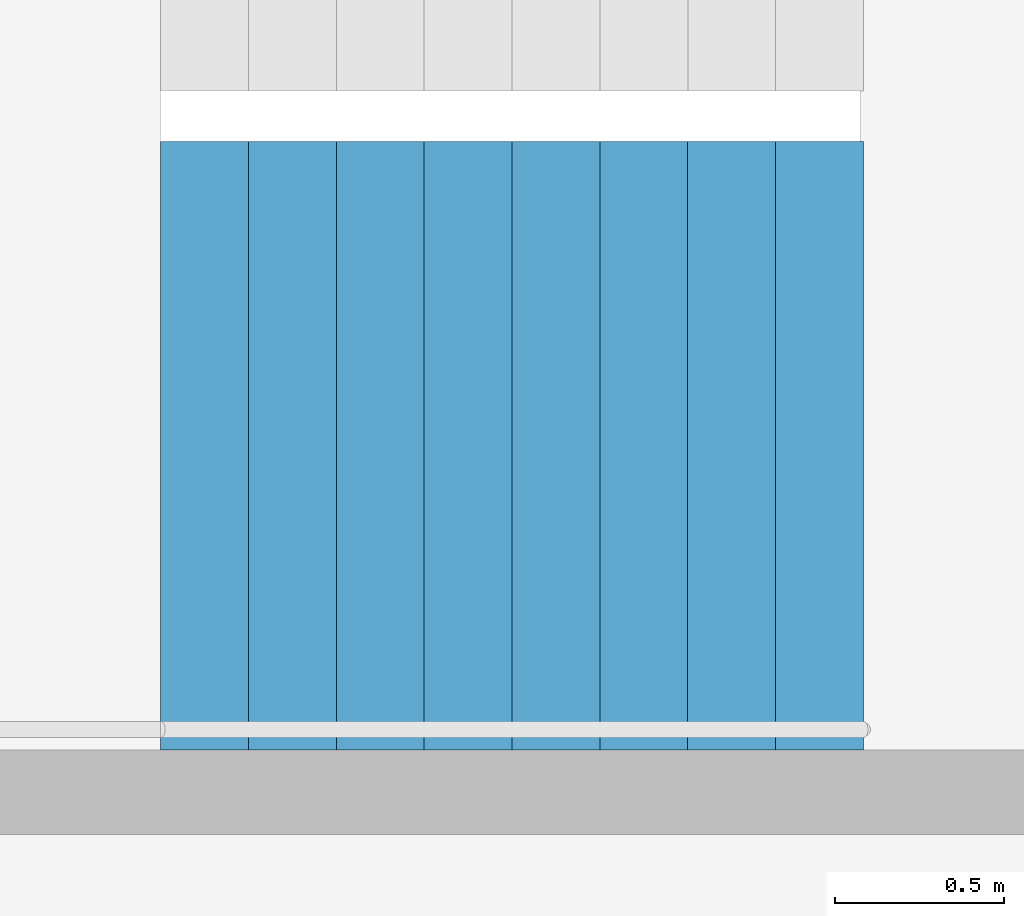
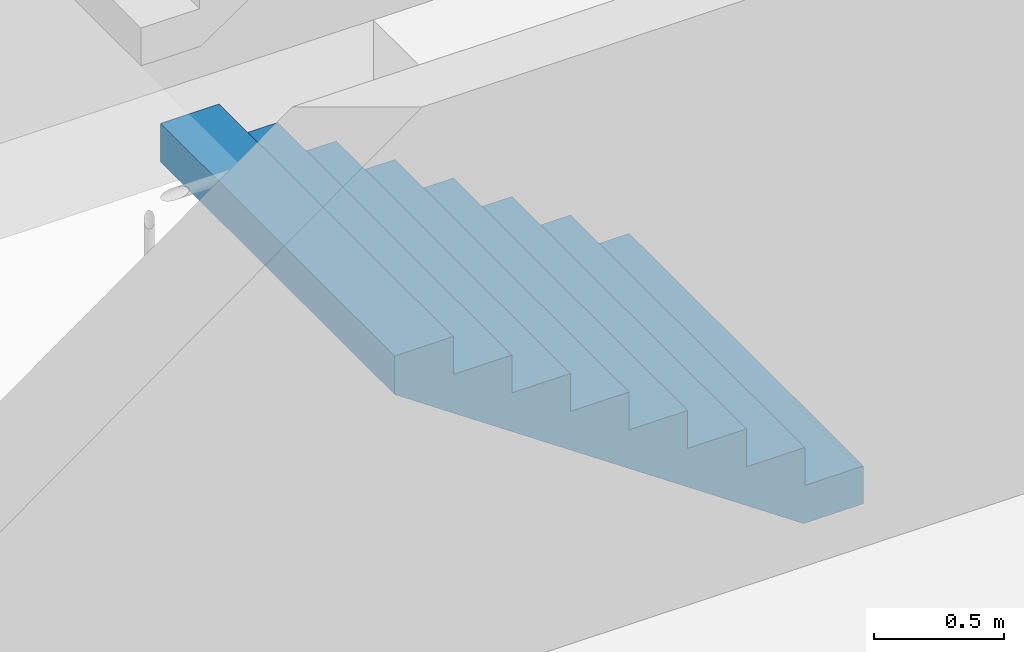
# One storey, part 22 of 29: 1 stair flight, 1 element without a shape of its own.
"""IFC4 building model written with IfcOpenShell, lengths in metres."""

from ifc_helpers import new_model, si_unit, direction, frame, origin, place, context, subcontext, project, spatial, triangles, material, type_object, element, aggregate, save


model = new_model("IFC4")

# Units and contexts
model_context = context("Model", 3, precision=1e-05, world=origin(), true_north=direction((0.0, 1.0)))
body_context = subcontext(model_context, "Body", "Model", "MODEL_VIEW")
ifc_project = project(units=[si_unit("LENGTHUNIT", "METRE"), si_unit("AREAUNIT", "SQUARE_METRE"), si_unit("VOLUMEUNIT", "CUBIC_METRE"), si_unit("PLANEANGLEUNIT", "RADIAN"), si_unit("MASSUNIT", "GRAM", prefix="KILO")], contexts=[model_context])

# Site, building, storey
site_placement = place(None, origin())
site = spatial("IfcSite", under=ifc_project, at=site_placement, CompositionType="ELEMENT")
building_placement = place(site_placement, origin())
building = spatial("IfcBuilding", under=site, at=building_placement, Name="Hakoniwa Tower and Hamabe Station Hall", CompositionType="ELEMENT")
storey_placement = place(building_placement, frame((0.0, 0.0, 163.0)))
storey = spatial("IfcBuildingStorey", under=building, at=storey_placement, Name="L46", CompositionType="ELEMENT", Elevation=163.0)

# Stair, stair flight
ifc_material_1 = material(Name="Concrete C40", Category="concrete")
stair_type = type_object("IfcStairType", Name="ESCAPE STAIR 1800", PredefinedType="HALF_TURN_STAIR", material=ifc_material_1)
stair_placement = place(storey_placement, origin())
stair = element("IfcStair", 1, at=stair_placement, inside=storey, type_object=stair_type, Name="Escape stair ST-3 L46", PredefinedType="HALF_TURN_STAIR")
ifc_material_2 = material(Name="Concrete C40", Category="concrete")
stair_flight_type = type_object("IfcStairFlightType", Name="STAIR FLIGHT 1800", PredefinedType="STRAIGHT", material=ifc_material_2)
stair_flight_placement = place(storey_placement, frame((24.39990234375, 4.64990234375, 0.0), z_axis=(0.0, 0.0, 1.0), x_axis=(-1.0, 0.0, 0.0)))
stair_flight = element("IfcStairFlight", 2, at=stair_flight_placement, type_object=stair_flight_type, Name="ST-3 flight 1", NumberOfRisers=9, NumberOfTreads=8, PredefinedType="STRAIGHT", RiserHeight=0.177777778, TreadLength=0.26, context=body_context, shape_type="Tessellation", body=[
    triangles([(0.0, 0.89990234375, 0.0), (0.260009765625, 0.89990234375, 0.0), (0.265625, 0.89990234375, 0.0), (0.52001953125, 0.89990234375, 0.174072265625), (0.780029296875, 0.89990234375, 0.351806640625), (1.0400390625, 0.89990234375, 0.529541015625), (1.300048828125, 0.89990234375, 0.707275390625), (1.56005859375, 0.89990234375, 0.885009765625), (1.820068359375, 0.89990234375, 1.062744140625), (2.080078125, 0.89990234375, 1.24072265625), (2.080078125, 0.89990234375, 1.422119140625), (1.820068359375, 0.89990234375, 1.422119140625), (1.820068359375, 0.89990234375, 1.244384765625), (1.56005859375, 0.89990234375, 1.244384765625), (1.56005859375, 0.89990234375, 1.066650390625), (1.300048828125, 0.89990234375, 1.066650390625), (1.300048828125, 0.89990234375, 0.888916015625), (1.0400390625, 0.89990234375, 0.888916015625), (1.0400390625, 0.89990234375, 0.711181640625), (0.780029296875, 0.89990234375, 0.711181640625), (0.780029296875, 0.89990234375, 0.533447265625), (0.52001953125, 0.89990234375, 0.533447265625), (0.52001953125, 0.89990234375, 0.35546875), (0.265625, 0.89990234375, 0.35546875), (0.260009765625, 0.89990234375, 0.35546875), (0.260009765625, 0.89990234375, 0.177734375), (0.0, 0.89990234375, 0.177734375), (0.0, 0.06005859375, 0.0), (0.260009765625, 0.06005859375, 0.0), (0.265625, 0.06005859375, 0.0), (0.52001953125, 0.06005859375, 0.174072265625), (0.780029296875, 0.06005859375, 0.351806640625), (1.0400390625, 0.06005859375, 0.529541015625), (1.300048828125, 0.06005859375, 0.707275390625), (1.56005859375, 0.06005859375, 0.885009765625), (1.820068359375, 0.06005859375, 1.062744140625), (2.080078125, 0.06005859375, 1.24072265625), (2.080078125, 0.06005859375, 1.422119140625), (1.820068359375, 0.06005859375, 1.422119140625), (1.820068359375, 0.06005859375, 1.244384765625), (1.56005859375, 0.06005859375, 1.244384765625), (1.56005859375, 0.06005859375, 1.066650390625), (1.300048828125, 0.06005859375, 1.066650390625), (1.300048828125, 0.06005859375, 0.888916015625), (1.0400390625, 0.06005859375, 0.888916015625), (1.0400390625, 0.06005859375, 0.711181640625), (0.780029296875, 0.06005859375, 0.711181640625), (0.780029296875, 0.06005859375, 0.533447265625), (0.52001953125, 0.06005859375, 0.533447265625), (0.52001953125, 0.06005859375, 0.35546875), (0.265625, 0.06005859375, 0.35546875), (0.260009765625, 0.06005859375, 0.35546875), (0.260009765625, 0.06005859375, 0.177734375), (0.0, 0.06005859375, 0.177734375), (0.0, 0.04296875, 0.0), (0.260009765625, 0.04296875, 0.0), (0.265625, 0.04296875, 0.0), (0.52001953125, 0.04296875, 0.174072265625), (0.780029296875, 0.04296875, 0.351806640625), (1.0400390625, 0.04296875, 0.529541015625), (1.300048828125, 0.04296875, 0.707275390625), (1.56005859375, 0.04296875, 0.885009765625), (1.820068359375, 0.04296875, 1.062744140625), (2.080078125, 0.04296875, 1.24072265625), (2.080078125, 0.04296875, 1.422119140625), (1.820068359375, 0.04296875, 1.422119140625), (1.820068359375, 0.04296875, 1.244384765625), (1.56005859375, 0.04296875, 1.244384765625), (1.56005859375, 0.04296875, 1.066650390625), (1.300048828125, 0.04296875, 1.066650390625), (1.300048828125, 0.04296875, 0.888916015625), (1.0400390625, 0.04296875, 0.888916015625), (1.0400390625, 0.04296875, 0.711181640625), (0.780029296875, 0.04296875, 0.711181640625), (0.780029296875, 0.04296875, 0.533447265625), (0.52001953125, 0.04296875, 0.533447265625), (0.52001953125, 0.04296875, 0.35546875), (0.265625, 0.04296875, 0.35546875), (0.260009765625, 0.04296875, 0.35546875), (0.260009765625, 0.04296875, 0.177734375), (0.0, 0.04296875, 0.177734375), (0.0, 0.025634765625, 0.0), (0.260009765625, 0.025634765625, 0.0), (0.265625, 0.025634765625, 0.0), (0.52001953125, 0.025634765625, 0.174072265625), (0.780029296875, 0.025634765625, 0.351806640625), (1.0400390625, 0.025634765625, 0.529541015625), (1.300048828125, 0.025634765625, 0.707275390625), (1.56005859375, 0.025634765625, 0.885009765625), (1.820068359375, 0.025634765625, 1.062744140625), (2.080078125, 0.025634765625, 1.24072265625), (2.080078125, 0.025634765625, 1.422119140625), (1.820068359375, 0.025634765625, 1.422119140625), (1.820068359375, 0.025634765625, 1.244384765625), (1.56005859375, 0.025634765625, 1.244384765625), (1.56005859375, 0.025634765625, 1.066650390625), (1.300048828125, 0.025634765625, 1.066650390625), (1.300048828125, 0.025634765625, 0.888916015625), (1.0400390625, 0.025634765625, 0.888916015625), (1.0400390625, 0.025634765625, 0.711181640625), (0.780029296875, 0.025634765625, 0.711181640625), (0.780029296875, 0.025634765625, 0.533447265625), (0.52001953125, 0.025634765625, 0.533447265625), (0.52001953125, 0.025634765625, 0.35546875), (0.265625, 0.025634765625, 0.35546875), (0.260009765625, 0.025634765625, 0.35546875), (0.260009765625, 0.025634765625, 0.177734375), (0.0, 0.025634765625, 0.177734375), (0.0, 0.008544921875, 0.0), (0.260009765625, 0.008544921875, 0.0), (0.265625, 0.008544921875, 0.0), (0.52001953125, 0.008544921875, 0.174072265625), (0.780029296875, 0.008544921875, 0.351806640625), (1.0400390625, 0.008544921875, 0.529541015625), (1.300048828125, 0.008544921875, 0.707275390625), (1.56005859375, 0.008544921875, 0.885009765625), (1.820068359375, 0.008544921875, 1.062744140625), (2.080078125, 0.008544921875, 1.24072265625), (2.080078125, 0.008544921875, 1.422119140625), (1.820068359375, 0.008544921875, 1.422119140625), (1.820068359375, 0.008544921875, 1.244384765625), (1.56005859375, 0.008544921875, 1.244384765625), (1.56005859375, 0.008544921875, 1.066650390625), (1.300048828125, 0.008544921875, 1.066650390625), (1.300048828125, 0.008544921875, 0.888916015625), (1.0400390625, 0.008544921875, 0.888916015625), (1.0400390625, 0.008544921875, 0.711181640625), (0.780029296875, 0.008544921875, 0.711181640625), (0.780029296875, 0.008544921875, 0.533447265625), (0.52001953125, 0.008544921875, 0.533447265625), (0.52001953125, 0.008544921875, 0.35546875), (0.265625, 0.008544921875, 0.35546875), (0.260009765625, 0.008544921875, 0.35546875), (0.260009765625, 0.008544921875, 0.177734375), (0.0, 0.008544921875, 0.177734375), (0.0, -0.008544921875, 0.0), (0.260009765625, -0.008544921875, 0.0), (0.265625, -0.008544921875, 0.0), (0.52001953125, -0.008544921875, 0.174072265625), (0.780029296875, -0.008544921875, 0.351806640625), (1.0400390625, -0.008544921875, 0.529541015625), (1.300048828125, -0.008544921875, 0.707275390625), (1.56005859375, -0.008544921875, 0.885009765625), (1.820068359375, -0.008544921875, 1.062744140625), (2.080078125, -0.008544921875, 1.24072265625), (2.080078125, -0.008544921875, 1.422119140625), (1.820068359375, -0.008544921875, 1.422119140625), (1.820068359375, -0.008544921875, 1.244384765625), (1.56005859375, -0.008544921875, 1.244384765625), (1.56005859375, -0.008544921875, 1.066650390625), (1.300048828125, -0.008544921875, 1.066650390625), (1.300048828125, -0.008544921875, 0.888916015625), (1.0400390625, -0.008544921875, 0.888916015625), (1.0400390625, -0.008544921875, 0.711181640625), (0.780029296875, -0.008544921875, 0.711181640625), (0.780029296875, -0.008544921875, 0.533447265625), (0.52001953125, -0.008544921875, 0.533447265625), (0.52001953125, -0.008544921875, 0.35546875), (0.265625, -0.008544921875, 0.35546875), (0.260009765625, -0.008544921875, 0.35546875), (0.260009765625, -0.008544921875, 0.177734375), (0.0, -0.008544921875, 0.177734375), (0.0, -0.025634765625, 0.0), (0.260009765625, -0.025634765625, 0.0), (0.265625, -0.025634765625, 0.0), (0.52001953125, -0.025634765625, 0.174072265625), (0.780029296875, -0.025634765625, 0.351806640625), (1.0400390625, -0.025634765625, 0.529541015625), (1.300048828125, -0.025634765625, 0.707275390625), (1.56005859375, -0.025634765625, 0.885009765625), (1.820068359375, -0.025634765625, 1.062744140625), (2.080078125, -0.025634765625, 1.24072265625), (2.080078125, -0.025634765625, 1.422119140625), (1.820068359375, -0.025634765625, 1.422119140625), (1.820068359375, -0.025634765625, 1.244384765625), (1.56005859375, -0.025634765625, 1.244384765625), (1.56005859375, -0.025634765625, 1.066650390625), (1.300048828125, -0.025634765625, 1.066650390625), (1.300048828125, -0.025634765625, 0.888916015625), (1.0400390625, -0.025634765625, 0.888916015625), (1.0400390625, -0.025634765625, 0.711181640625), (0.780029296875, -0.025634765625, 0.711181640625), (0.780029296875, -0.025634765625, 0.533447265625), (0.52001953125, -0.025634765625, 0.533447265625), (0.52001953125, -0.025634765625, 0.35546875), (0.265625, -0.025634765625, 0.35546875), (0.260009765625, -0.025634765625, 0.35546875), (0.260009765625, -0.025634765625, 0.177734375), (0.0, -0.025634765625, 0.177734375), (0.0, -0.04296875, 0.0), (0.260009765625, -0.04296875, 0.0), (0.265625, -0.04296875, 0.0), (0.52001953125, -0.04296875, 0.174072265625), (0.780029296875, -0.04296875, 0.351806640625), (1.0400390625, -0.04296875, 0.529541015625), (1.300048828125, -0.04296875, 0.707275390625), (1.56005859375, -0.04296875, 0.885009765625), (1.820068359375, -0.04296875, 1.062744140625), (2.080078125, -0.04296875, 1.24072265625), (2.080078125, -0.04296875, 1.422119140625), (1.820068359375, -0.04296875, 1.422119140625), (1.820068359375, -0.04296875, 1.244384765625), (1.56005859375, -0.04296875, 1.244384765625), (1.56005859375, -0.04296875, 1.066650390625), (1.300048828125, -0.04296875, 1.066650390625), (1.300048828125, -0.04296875, 0.888916015625), (1.0400390625, -0.04296875, 0.888916015625), (1.0400390625, -0.04296875, 0.711181640625), (0.780029296875, -0.04296875, 0.711181640625), (0.780029296875, -0.04296875, 0.533447265625), (0.52001953125, -0.04296875, 0.533447265625), (0.52001953125, -0.04296875, 0.35546875), (0.265625, -0.04296875, 0.35546875), (0.260009765625, -0.04296875, 0.35546875), (0.260009765625, -0.04296875, 0.177734375), (0.0, -0.04296875, 0.177734375), (0.0, -0.06005859375, 0.0), (0.260009765625, -0.06005859375, 0.0), (0.265625, -0.06005859375, 0.0), (0.52001953125, -0.06005859375, 0.174072265625), (0.780029296875, -0.06005859375, 0.351806640625), (1.0400390625, -0.06005859375, 0.529541015625), (1.300048828125, -0.06005859375, 0.707275390625), (1.56005859375, -0.06005859375, 0.885009765625), (1.820068359375, -0.06005859375, 1.062744140625), (2.080078125, -0.06005859375, 1.24072265625), (2.080078125, -0.06005859375, 1.422119140625), (1.820068359375, -0.06005859375, 1.422119140625), (1.820068359375, -0.06005859375, 1.244384765625), (1.56005859375, -0.06005859375, 1.244384765625), (1.56005859375, -0.06005859375, 1.066650390625), (1.300048828125, -0.06005859375, 1.066650390625), (1.300048828125, -0.06005859375, 0.888916015625), (1.0400390625, -0.06005859375, 0.888916015625), (1.0400390625, -0.06005859375, 0.711181640625), (0.780029296875, -0.06005859375, 0.711181640625), (0.780029296875, -0.06005859375, 0.533447265625), (0.52001953125, -0.06005859375, 0.533447265625), (0.52001953125, -0.06005859375, 0.35546875), (0.265625, -0.06005859375, 0.35546875), (0.260009765625, -0.06005859375, 0.35546875), (0.260009765625, -0.06005859375, 0.177734375), (0.0, -0.06005859375, 0.177734375), (0.0, -0.89990234375, 0.0), (0.260009765625, -0.89990234375, 0.0), (0.265625, -0.89990234375, 0.0), (0.52001953125, -0.89990234375, 0.174072265625), (0.780029296875, -0.89990234375, 0.351806640625), (1.0400390625, -0.89990234375, 0.529541015625), (1.300048828125, -0.89990234375, 0.707275390625), (1.56005859375, -0.89990234375, 0.885009765625), (1.820068359375, -0.89990234375, 1.062744140625), (2.080078125, -0.89990234375, 1.24072265625), (2.080078125, -0.89990234375, 1.422119140625), (1.820068359375, -0.89990234375, 1.422119140625), (1.820068359375, -0.89990234375, 1.244384765625), (1.56005859375, -0.89990234375, 1.244384765625), (1.56005859375, -0.89990234375, 1.066650390625), (1.300048828125, -0.89990234375, 1.066650390625), (1.300048828125, -0.89990234375, 0.888916015625), (1.0400390625, -0.89990234375, 0.888916015625), (1.0400390625, -0.89990234375, 0.711181640625), (0.780029296875, -0.89990234375, 0.711181640625), (0.780029296875, -0.89990234375, 0.533447265625), (0.52001953125, -0.89990234375, 0.533447265625), (0.52001953125, -0.89990234375, 0.35546875), (0.265625, -0.89990234375, 0.35546875), (0.260009765625, -0.89990234375, 0.35546875), (0.260009765625, -0.89990234375, 0.177734375), (0.0, -0.89990234375, 0.177734375)], [[2, 27, 26], [245, 269, 270], [2, 1, 27], [245, 270, 244], [3, 25, 24], [246, 267, 268], [3, 26, 25], [246, 268, 269], [3, 2, 26], [246, 269, 245], [4, 24, 23], [247, 266, 267], [4, 3, 24], [247, 267, 246], [5, 22, 21], [248, 264, 265], [5, 23, 22], [248, 265, 266], [5, 4, 23], [248, 266, 247], [6, 20, 19], [249, 262, 263], [6, 21, 20], [249, 263, 264], [6, 5, 21], [249, 264, 248], [7, 18, 17], [250, 260, 261], [7, 19, 18], [250, 261, 262], [7, 6, 19], [250, 262, 249], [8, 16, 15], [251, 258, 259], [8, 17, 16], [251, 259, 260], [8, 7, 17], [251, 260, 250], [9, 14, 13], [252, 256, 257], [9, 15, 14], [252, 257, 258], [9, 8, 15], [252, 258, 251], [10, 12, 11], [253, 254, 255], [10, 13, 12], [253, 255, 256], [10, 9, 13], [253, 256, 252], [1, 2, 29], [1, 29, 28], [28, 29, 56], [28, 56, 55], [55, 56, 83], [55, 83, 82], [82, 83, 110], [82, 110, 109], [109, 110, 137], [109, 137, 136], [136, 137, 164], [136, 164, 163], [163, 164, 191], [163, 191, 190], [190, 191, 218], [190, 218, 217], [217, 218, 245], [217, 245, 244], [2, 3, 30], [2, 30, 29], [29, 30, 57], [29, 57, 56], [56, 57, 84], [56, 84, 83], [83, 84, 111], [83, 111, 110], [110, 111, 138], [110, 138, 137], [137, 138, 165], [137, 165, 164], [164, 165, 192], [164, 192, 191], [191, 192, 219], [191, 219, 218], [218, 219, 246], [218, 246, 245], [3, 4, 31], [3, 31, 30], [30, 31, 58], [30, 58, 57], [57, 58, 85], [57, 85, 84], [84, 85, 112], [84, 112, 111], [111, 112, 139], [111, 139, 138], [138, 139, 166], [138, 166, 165], [165, 166, 193], [165, 193, 192], [192, 193, 220], [192, 220, 219], [219, 220, 247], [219, 247, 246], [4, 5, 32], [4, 32, 31], [31, 32, 59], [31, 59, 58], [58, 59, 86], [58, 86, 85], [85, 86, 113], [85, 113, 112], [112, 113, 140], [112, 140, 139], [139, 140, 167], [139, 167, 166], [166, 167, 194], [166, 194, 193], [193, 194, 221], [193, 221, 220], [220, 221, 248], [220, 248, 247], [5, 6, 33], [5, 33, 32], [32, 33, 60], [32, 60, 59], [59, 60, 87], [59, 87, 86], [86, 87, 114], [86, 114, 113], [113, 114, 141], [113, 141, 140], [140, 141, 168], [140, 168, 167], [167, 168, 195], [167, 195, 194], [194, 195, 222], [194, 222, 221], [221, 222, 249], [221, 249, 248], [6, 7, 34], [6, 34, 33], [33, 34, 61], [33, 61, 60], [60, 61, 88], [60, 88, 87], [87, 88, 115], [87, 115, 114], [114, 115, 142], [114, 142, 141], [141, 142, 169], [141, 169, 168], [168, 169, 196], [168, 196, 195], [195, 196, 223], [195, 223, 222], [222, 223, 250], [222, 250, 249], [7, 8, 35], [7, 35, 34], [34, 35, 62], [34, 62, 61], [61, 62, 89], [61, 89, 88], [88, 89, 116], [88, 116, 115], [115, 116, 143], [115, 143, 142], [142, 143, 170], [142, 170, 169], [169, 170, 197], [169, 197, 196], [196, 197, 224], [196, 224, 223], [223, 224, 251], [223, 251, 250], [8, 9, 36], [8, 36, 35], [35, 36, 63], [35, 63, 62], [62, 63, 90], [62, 90, 89], [89, 90, 117], [89, 117, 116], [116, 117, 144], [116, 144, 143], [143, 144, 171], [143, 171, 170], [170, 171, 198], [170, 198, 197], [197, 198, 225], [197, 225, 224], [224, 225, 252], [224, 252, 251], [9, 10, 37], [9, 37, 36], [36, 37, 64], [36, 64, 63], [63, 64, 91], [63, 91, 90], [90, 91, 118], [90, 118, 117], [117, 118, 145], [117, 145, 144], [144, 145, 172], [144, 172, 171], [171, 172, 199], [171, 199, 198], [198, 199, 226], [198, 226, 225], [225, 226, 253], [225, 253, 252], [10, 11, 38], [10, 38, 37], [37, 38, 65], [37, 65, 64], [64, 65, 92], [64, 92, 91], [91, 92, 119], [91, 119, 118], [118, 119, 146], [118, 146, 145], [145, 146, 173], [145, 173, 172], [172, 173, 200], [172, 200, 199], [199, 200, 227], [199, 227, 226], [226, 227, 254], [226, 254, 253], [11, 12, 39], [11, 39, 38], [38, 39, 66], [38, 66, 65], [65, 66, 93], [65, 93, 92], [92, 93, 120], [92, 120, 119], [119, 120, 147], [119, 147, 146], [146, 147, 174], [146, 174, 173], [173, 174, 201], [173, 201, 200], [200, 201, 228], [200, 228, 227], [227, 228, 255], [227, 255, 254], [12, 13, 40], [12, 40, 39], [39, 40, 67], [39, 67, 66], [66, 67, 94], [66, 94, 93], [93, 94, 121], [93, 121, 120], [120, 121, 148], [120, 148, 147], [147, 148, 175], [147, 175, 174], [174, 175, 202], [174, 202, 201], [201, 202, 229], [201, 229, 228], [228, 229, 256], [228, 256, 255], [13, 14, 41], [13, 41, 40], [40, 41, 68], [40, 68, 67], [67, 68, 95], [67, 95, 94], [94, 95, 122], [94, 122, 121], [121, 122, 149], [121, 149, 148], [148, 149, 176], [148, 176, 175], [175, 176, 203], [175, 203, 202], [202, 203, 230], [202, 230, 229], [229, 230, 257], [229, 257, 256], [14, 15, 42], [14, 42, 41], [41, 42, 69], [41, 69, 68], [68, 69, 96], [68, 96, 95], [95, 96, 123], [95, 123, 122], [122, 123, 150], [122, 150, 149], [149, 150, 177], [149, 177, 176], [176, 177, 204], [176, 204, 203], [203, 204, 231], [203, 231, 230], [230, 231, 258], [230, 258, 257], [15, 16, 43], [15, 43, 42], [42, 43, 70], [42, 70, 69], [69, 70, 97], [69, 97, 96], [96, 97, 124], [96, 124, 123], [123, 124, 151], [123, 151, 150], [150, 151, 178], [150, 178, 177], [177, 178, 205], [177, 205, 204], [204, 205, 232], [204, 232, 231], [231, 232, 259], [231, 259, 258], [16, 17, 44], [16, 44, 43], [43, 44, 71], [43, 71, 70], [70, 71, 98], [70, 98, 97], [97, 98, 125], [97, 125, 124], [124, 125, 152], [124, 152, 151], [151, 152, 179], [151, 179, 178], [178, 179, 206], [178, 206, 205], [205, 206, 233], [205, 233, 232], [232, 233, 260], [232, 260, 259], [17, 18, 45], [17, 45, 44], [44, 45, 72], [44, 72, 71], [71, 72, 99], [71, 99, 98], [98, 99, 126], [98, 126, 125], [125, 126, 153], [125, 153, 152], [152, 153, 180], [152, 180, 179], [179, 180, 207], [179, 207, 206], [206, 207, 234], [206, 234, 233], [233, 234, 261], [233, 261, 260], [18, 19, 46], [18, 46, 45], [45, 46, 73], [45, 73, 72], [72, 73, 100], [72, 100, 99], [99, 100, 127], [99, 127, 126], [126, 127, 154], [126, 154, 153], [153, 154, 181], [153, 181, 180], [180, 181, 208], [180, 208, 207], [207, 208, 235], [207, 235, 234], [234, 235, 262], [234, 262, 261], [19, 20, 47], [19, 47, 46], [46, 47, 74], [46, 74, 73], [73, 74, 101], [73, 101, 100], [100, 101, 128], [100, 128, 127], [127, 128, 155], [127, 155, 154], [154, 155, 182], [154, 182, 181], [181, 182, 209], [181, 209, 208], [208, 209, 236], [208, 236, 235], [235, 236, 263], [235, 263, 262], [20, 21, 48], [20, 48, 47], [47, 48, 75], [47, 75, 74], [74, 75, 102], [74, 102, 101], [101, 102, 129], [101, 129, 128], [128, 129, 156], [128, 156, 155], [155, 156, 183], [155, 183, 182], [182, 183, 210], [182, 210, 209], [209, 210, 237], [209, 237, 236], [236, 237, 264], [236, 264, 263], [21, 22, 49], [21, 49, 48], [48, 49, 76], [48, 76, 75], [75, 76, 103], [75, 103, 102], [102, 103, 130], [102, 130, 129], [129, 130, 157], [129, 157, 156], [156, 157, 184], [156, 184, 183], [183, 184, 211], [183, 211, 210], [210, 211, 238], [210, 238, 237], [237, 238, 265], [237, 265, 264], [22, 23, 50], [22, 50, 49], [49, 50, 77], [49, 77, 76], [76, 77, 104], [76, 104, 103], [103, 104, 131], [103, 131, 130], [130, 131, 158], [130, 158, 157], [157, 158, 185], [157, 185, 184], [184, 185, 212], [184, 212, 211], [211, 212, 239], [211, 239, 238], [238, 239, 266], [238, 266, 265], [23, 24, 51], [23, 51, 50], [50, 51, 78], [50, 78, 77], [77, 78, 105], [77, 105, 104], [104, 105, 132], [104, 132, 131], [131, 132, 159], [131, 159, 158], [158, 159, 186], [158, 186, 185], [185, 186, 213], [185, 213, 212], [212, 213, 240], [212, 240, 239], [239, 240, 267], [239, 267, 266], [24, 25, 52], [24, 52, 51], [51, 52, 79], [51, 79, 78], [78, 79, 106], [78, 106, 105], [105, 106, 133], [105, 133, 132], [132, 133, 160], [132, 160, 159], [159, 160, 187], [159, 187, 186], [186, 187, 214], [186, 214, 213], [213, 214, 241], [213, 241, 240], [240, 241, 268], [240, 268, 267], [25, 26, 53], [25, 53, 52], [52, 53, 80], [52, 80, 79], [79, 80, 107], [79, 107, 106], [106, 107, 134], [106, 134, 133], [133, 134, 161], [133, 161, 160], [160, 161, 188], [160, 188, 187], [187, 188, 215], [187, 215, 214], [214, 215, 242], [214, 242, 241], [241, 242, 269], [241, 269, 268], [26, 27, 54], [26, 54, 53], [53, 54, 81], [53, 81, 80], [80, 81, 108], [80, 108, 107], [107, 108, 135], [107, 135, 134], [134, 135, 162], [134, 162, 161], [161, 162, 189], [161, 189, 188], [188, 189, 216], [188, 216, 215], [215, 216, 243], [215, 243, 242], [242, 243, 270], [242, 270, 269], [27, 1, 28], [27, 28, 54], [54, 28, 55], [54, 55, 81], [81, 55, 82], [81, 82, 108], [108, 82, 109], [108, 109, 135], [135, 109, 136], [135, 136, 162], [162, 136, 163], [162, 163, 189], [189, 163, 190], [189, 190, 216], [216, 190, 217], [216, 217, 243], [243, 217, 244], [243, 244, 270]], closed=True),
])
aggregate(stair, [stair_flight])

save(model, "model.ifc")
